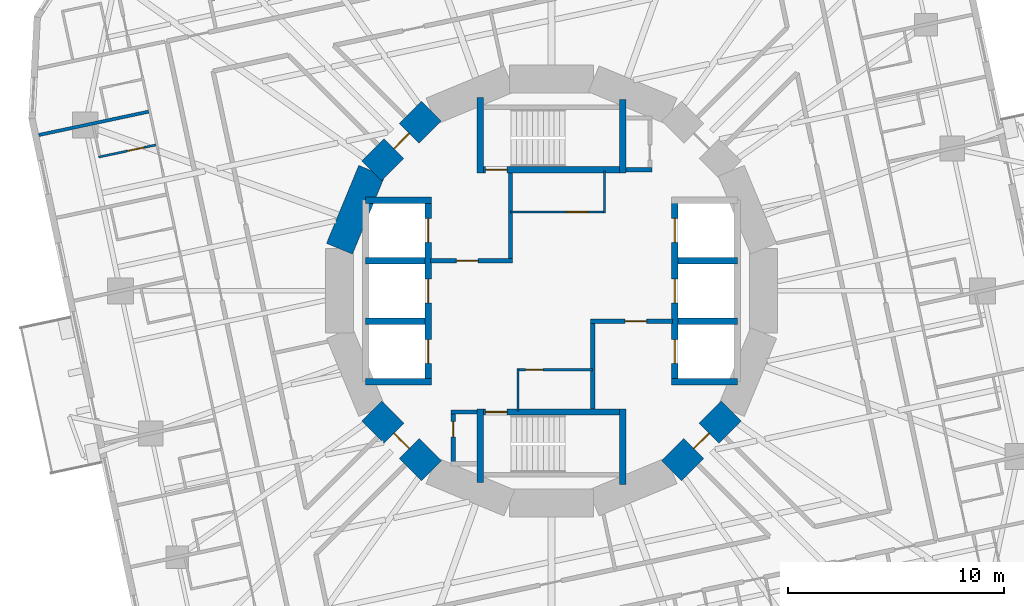
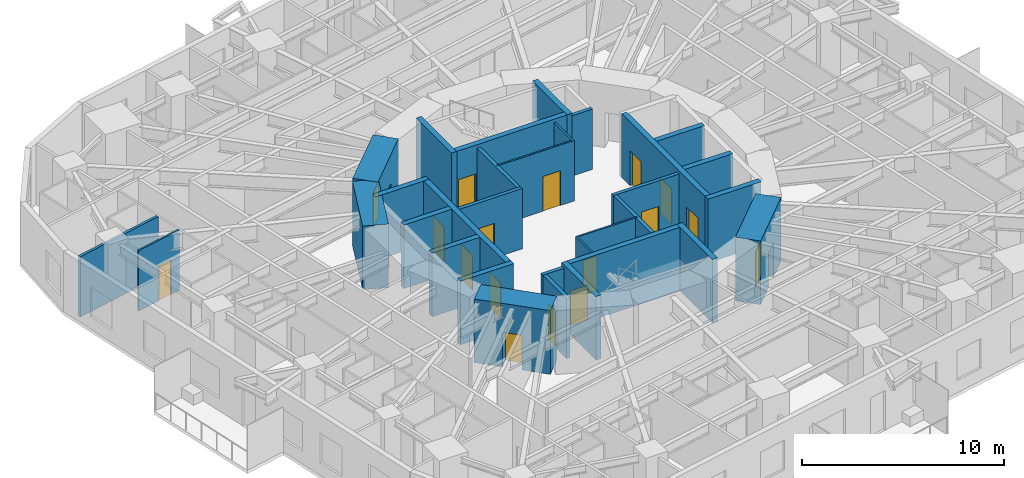
# One storey, part 7 of 14: 32 walls, 17 doors, 17 openings.
"""IFC4 building model written with IfcOpenShell, lengths in metres."""

from ifc_helpers import new_model, si_unit, direction, frame, frame_2d, origin, place, context, subcontext, project, spatial, rectangle, extrude, material, layer, layer_set, type_object, element, fill, save


model = new_model("IFC4")

# Units and contexts
model_context = context("Model", 3, precision=1e-05, world=origin(), true_north=direction((0.0, 1.0)))
body_context = subcontext(model_context, "Body", "Model", "MODEL_VIEW")
ifc_project = project(units=[si_unit("LENGTHUNIT", "METRE"), si_unit("AREAUNIT", "SQUARE_METRE"), si_unit("VOLUMEUNIT", "CUBIC_METRE"), si_unit("PLANEANGLEUNIT", "RADIAN"), si_unit("MASSUNIT", "GRAM", prefix="KILO")], contexts=[model_context])

# Site, building, storey
site_placement = place(None, origin())
site = spatial("IfcSite", under=ifc_project, at=site_placement, CompositionType="ELEMENT")
building_placement = place(site_placement, origin())
building = spatial("IfcBuilding", under=site, at=building_placement, Name="Nakasero Lantern House", CompositionType="ELEMENT")
storey_placement = place(building_placement, frame((0.0, 0.0, 112.699951171875)))
storey = spatial("IfcBuildingStorey", under=building, at=storey_placement, Name="L27", CompositionType="ELEMENT", Elevation=112.699951171875)

# Wall, openings, doors
ifc_material_1 = material(Name="Concrete C50/60", Category="concrete")
ifc_layer_1 = layer(ifc_material_1, 0.300048828125)
ifc_layer_set_1 = layer_set([ifc_layer_1], Name="Core inner wall 300")
wall_type_1 = type_object("IfcWallType", Name="Core inner wall 300", PredefinedType="SHEAR", material=ifc_layer_set_1)
wall_1_placement = place(storey_placement, frame((-5.699951171875, -4.199951171875, 0.0), z_axis=(0.0, 0.0, 1.0), x_axis=(0.0, 1.0, 0.0)))
wall_1 = element("IfcWall", 1, at=wall_1_placement, inside=storey, type_object=wall_type_1, Name="Core inner wall L27 LW", PredefinedType="SHEAR", context=body_context, shape_type="SweptSolid", body=[
    extrude(rectangle(XDim=8.39990234375, YDim=0.300048828125, at=frame_2d((4.199951171875, 0.0))), origin(), (0.0, 0.0, 1.0), 3.85009765625),
])
opening_1_placement = place(wall_1_placement, frame((0.85009765625, 0.0, 0.0)))
opening_1 = element("IfcOpeningElement", 2, at=opening_1_placement, cuts=wall_1, Name="Opening LD", PredefinedType="OPENING", context=body_context, shape_type="SweptSolid", body=[
    extrude(rectangle(XDim=1.10009765625, YDim=2.10009765625, at=frame_2d((0.550048828125, 1.050048828125))), frame((0.0, 0.169921875, 0.0), z_axis=(0.0, -1.0, 0.0), x_axis=(1.0, 0.0, 0.0)), (0.0, 0.0, 1.0), 0.340087890625),
])
opening_2_placement = place(wall_1_placement, frame((3.64990234375, 0.0, 0.0)))
opening_2 = element("IfcOpeningElement", 3, at=opening_2_placement, cuts=wall_1, Name="Opening LD", PredefinedType="OPENING", context=body_context, shape_type="SweptSolid", body=[
    extrude(rectangle(XDim=1.10009765625, YDim=2.10009765625, at=frame_2d((0.550048828125, 1.050048828125))), frame((0.0, 0.169921875, 0.0), z_axis=(0.0, -1.0, 0.0), x_axis=(1.0, 0.0, 0.0)), (0.0, 0.0, 1.0), 0.340087890625),
])
opening_3_placement = place(wall_1_placement, frame((6.449951171875, 0.0, 0.0)))
opening_3 = element("IfcOpeningElement", 4, at=opening_3_placement, cuts=wall_1, Name="Opening LD", PredefinedType="OPENING", context=body_context, shape_type="SweptSolid", body=[
    extrude(rectangle(XDim=1.10009765625, YDim=2.10009765625, at=frame_2d((0.550048828125, 1.050048828125))), frame((0.0, 0.169921875, 0.0), z_axis=(0.0, -1.0, 0.0), x_axis=(1.0, 0.0, 0.0)), (0.0, 0.0, 1.0), 0.340087890625),
])
ifc_material_2 = material(Name="Steel S355", Category="steel")
door_type_1 = type_object("IfcDoorType", Name="Lift landing door E120 1100", OperationType="SLIDING_TO_LEFT", PredefinedType="DOOR", material=ifc_material_2)
door_1_placement = place(opening_1_placement, origin())
door_1 = element("IfcDoor", 5, at=door_1_placement, inside=storey, type_object=door_type_1, Name="Lift landing door LW1", OperationType="SLIDING_TO_LEFT", OverallHeight=2.10009765625, OverallWidth=1.10009765625, PredefinedType="DOOR", context=body_context, shape_type="SweptSolid", body=[
    extrude(rectangle(XDim=1.10009765625, YDim=2.10009765625, at=frame_2d((0.550048828125, 1.050048828125))), frame((0.0, 0.02490234375, 0.0), z_axis=(0.0, -1.0, 0.0), x_axis=(1.0, 0.0, 0.0)), (0.0, 0.0, 1.0), 0.050048828125),
])
fill(opening_1, door_1)
door_2_placement = place(opening_2_placement, origin())
door_2 = element("IfcDoor", 6, at=door_2_placement, inside=storey, type_object=door_type_1, Name="Lift landing door LW2", OperationType="SLIDING_TO_LEFT", OverallHeight=2.10009765625, OverallWidth=1.10009765625, PredefinedType="DOOR", context=body_context, shape_type="SweptSolid", body=[
    extrude(rectangle(XDim=1.10009765625, YDim=2.10009765625, at=frame_2d((0.550048828125, 1.050048828125))), frame((0.0, 0.02490234375, 0.0), z_axis=(0.0, -1.0, 0.0), x_axis=(1.0, 0.0, 0.0)), (0.0, 0.0, 1.0), 0.050048828125),
])
fill(opening_2, door_2)
door_3_placement = place(opening_3_placement, origin())
door_3 = element("IfcDoor", 7, at=door_3_placement, inside=storey, type_object=door_type_1, Name="Lift landing door LW3", OperationType="SLIDING_TO_LEFT", OverallHeight=2.10009765625, OverallWidth=1.10009765625, PredefinedType="DOOR", context=body_context, shape_type="SweptSolid", body=[
    extrude(rectangle(XDim=1.10009765625, YDim=2.10009765625, at=frame_2d((0.550048828125, 1.050048828125))), frame((0.0, 0.02490234375, 0.0), z_axis=(0.0, -1.0, 0.0), x_axis=(1.0, 0.0, 0.0)), (0.0, 0.0, 1.0), 0.050048828125),
])
fill(opening_3, door_3)

wall_2_placement = place(storey_placement, frame((5.699951171875, -4.199951171875, 0.0), z_axis=(0.0, 0.0, 1.0), x_axis=(0.0, 1.0, 0.0)))
wall_2 = element("IfcWall", 8, at=wall_2_placement, inside=storey, type_object=wall_type_1, Name="Core inner wall L27 LE", PredefinedType="SHEAR", context=body_context, shape_type="SweptSolid", body=[
    extrude(rectangle(XDim=8.39990234375, YDim=0.300048828125, at=frame_2d((4.199951171875, 0.0))), origin(), (0.0, 0.0, 1.0), 3.85009765625),
])
opening_4_placement = place(wall_2_placement, frame((0.85009765625, 0.0, 0.0)))
opening_4 = element("IfcOpeningElement", 9, at=opening_4_placement, cuts=wall_2, Name="Opening LD", PredefinedType="OPENING", context=body_context, shape_type="SweptSolid", body=[
    extrude(rectangle(XDim=1.10009765625, YDim=2.10009765625, at=frame_2d((0.550048828125, 1.050048828125))), frame((0.0, 0.169921875, 0.0), z_axis=(0.0, -1.0, 0.0), x_axis=(1.0, 0.0, 0.0)), (0.0, 0.0, 1.0), 0.340087890625),
])
opening_5_placement = place(wall_2_placement, frame((3.64990234375, 0.0, 0.0)))
opening_5 = element("IfcOpeningElement", 10, at=opening_5_placement, cuts=wall_2, Name="Opening LD", PredefinedType="OPENING", context=body_context, shape_type="SweptSolid", body=[
    extrude(rectangle(XDim=1.10009765625, YDim=2.10009765625, at=frame_2d((0.550048828125, 1.050048828125))), frame((0.0, 0.169921875, 0.0), z_axis=(0.0, -1.0, 0.0), x_axis=(1.0, 0.0, 0.0)), (0.0, 0.0, 1.0), 0.340087890625),
])
opening_6_placement = place(wall_2_placement, frame((6.449951171875, 0.0, 0.0)))
opening_6 = element("IfcOpeningElement", 11, at=opening_6_placement, cuts=wall_2, Name="Opening LD", PredefinedType="OPENING", context=body_context, shape_type="SweptSolid", body=[
    extrude(rectangle(XDim=1.10009765625, YDim=2.10009765625, at=frame_2d((0.550048828125, 1.050048828125))), frame((0.0, 0.169921875, 0.0), z_axis=(0.0, -1.0, 0.0), x_axis=(1.0, 0.0, 0.0)), (0.0, 0.0, 1.0), 0.340087890625),
])
door_4_placement = place(opening_4_placement, origin())
door_4 = element("IfcDoor", 12, at=door_4_placement, inside=storey, type_object=door_type_1, Name="Lift landing door LE1", OperationType="SLIDING_TO_LEFT", OverallHeight=2.10009765625, OverallWidth=1.10009765625, PredefinedType="DOOR", context=body_context, shape_type="SweptSolid", body=[
    extrude(rectangle(XDim=1.10009765625, YDim=2.10009765625, at=frame_2d((0.550048828125, 1.050048828125))), frame((0.0, 0.02490234375, 0.0), z_axis=(0.0, -1.0, 0.0), x_axis=(1.0, 0.0, 0.0)), (0.0, 0.0, 1.0), 0.050048828125),
])
fill(opening_4, door_4)
door_5_placement = place(opening_5_placement, origin())
door_5 = element("IfcDoor", 13, at=door_5_placement, inside=storey, type_object=door_type_1, Name="Lift landing door LE2", OperationType="SLIDING_TO_LEFT", OverallHeight=2.10009765625, OverallWidth=1.10009765625, PredefinedType="DOOR", context=body_context, shape_type="SweptSolid", body=[
    extrude(rectangle(XDim=1.10009765625, YDim=2.10009765625, at=frame_2d((0.550048828125, 1.050048828125))), frame((0.0, 0.02490234375, 0.0), z_axis=(0.0, -1.0, 0.0), x_axis=(1.0, 0.0, 0.0)), (0.0, 0.0, 1.0), 0.050048828125),
])
fill(opening_5, door_5)
door_6_placement = place(opening_6_placement, origin())
door_6 = element("IfcDoor", 14, at=door_6_placement, inside=storey, type_object=door_type_1, Name="Lift landing door LE3", OperationType="SLIDING_TO_LEFT", OverallHeight=2.10009765625, OverallWidth=1.10009765625, PredefinedType="DOOR", context=body_context, shape_type="SweptSolid", body=[
    extrude(rectangle(XDim=1.10009765625, YDim=2.10009765625, at=frame_2d((0.550048828125, 1.050048828125))), frame((0.0, 0.02490234375, 0.0), z_axis=(0.0, -1.0, 0.0), x_axis=(1.0, 0.0, 0.0)), (0.0, 0.0, 1.0), 0.050048828125),
])
fill(opening_6, door_6)

# Walls
for number, where, z_axis, x_axis, name in (
    (15, (-8.60009765625, 4.199951171875, 0.0), (0.0, 0.0, 1.0), (1.0, 0.0, 0.0), "Core inner wall L27 LWN"),
    (16, (-8.60009765625, -4.199951171875, 0.0), (0.0, 0.0, 1.0), (1.0, 0.0, 0.0), "Core inner wall L27 LWS"),
    (17, (5.550048828125, -4.199951171875, 0.0), (0.0, 0.0, 1.0), (1.0, 0.0, 0.0), "Core inner wall L27 LES"),
):
    element("IfcWall", number, at=place(storey_placement, frame(where, z_axis=z_axis, x_axis=x_axis)), inside=storey, type_object=wall_type_1, Name=name, PredefinedType="SHEAR", context=body_context, shape_type="SweptSolid", body=[
        extrude(rectangle(XDim=3.050048828125, YDim=0.300048828125, at=frame_2d((1.52490234375, 0.0))), origin(), (0.0, 0.0, 1.0), 3.85009765625),
    ])
for number, where, z_axis, x_axis, name in (
    (18, (-8.60009765625, -1.39990234375, 0.0), (0.0, 0.0, 1.0), (1.0, 0.0, 0.0), "Core inner wall L27 LW1"),
    (19, (-8.60009765625, 1.39990234375, 0.0), (0.0, 0.0, 1.0), (1.0, 0.0, 0.0), "Core inner wall L27 LW2"),
    (20, (5.85009765625, -1.39990234375, 0.0), (0.0, 0.0, 1.0), (1.0, 0.0, 0.0), "Core inner wall L27 LE1"),
    (21, (5.85009765625, 1.39990234375, 0.0), (0.0, 0.0, 1.0), (1.0, 0.0, 0.0), "Core inner wall L27 LE2"),
):
    element("IfcWall", number, at=place(storey_placement, frame(where, z_axis=z_axis, x_axis=x_axis)), inside=storey, type_object=wall_type_1, Name=name, PredefinedType="SHEAR", context=body_context, shape_type="SweptSolid", body=[
        extrude(rectangle(XDim=2.75, YDim=0.300048828125, at=frame_2d((1.375, 0.0))), origin(), (0.0, 0.0, 1.0), 3.85009765625),
    ])

# Wall, opening, door
wall_3_placement = place(storey_placement, frame((-3.449951171875, 5.60009765625, 0.0), z_axis=(0.0, 0.0, 1.0), x_axis=(1.0, 0.0, 0.0)))
wall_3 = element("IfcWall", 22, at=wall_3_placement, inside=storey, type_object=wall_type_1, Name="Core inner wall L27 SN", PredefinedType="SHEAR", context=body_context, shape_type="SweptSolid", body=[
    extrude(rectangle(XDim=6.89990234375, YDim=0.300048828125, at=frame_2d((3.449951171875, 0.0))), origin(), (0.0, 0.0, 1.0), 3.85009765625),
])
opening_7_placement = place(wall_3_placement, frame((0.39990234375, 0.0, 0.0)))
opening_7 = element("IfcOpeningElement", 23, at=opening_7_placement, cuts=wall_3, Name="Opening D05", PredefinedType="OPENING", context=body_context, shape_type="SweptSolid", body=[
    extrude(rectangle(XDim=1.0, YDim=2.10009765625, at=frame_2d((0.5, 1.050048828125))), frame((0.0, 0.169921875, 0.0), z_axis=(0.0, -1.0, 0.0), x_axis=(1.0, 0.0, 0.0)), (0.0, 0.0, 1.0), 0.340087890625),
])
ifc_material_3 = material(Name="Timber C24", Category="wood")
door_type_2 = type_object("IfcDoorType", Name="Core door FD60S 1000", OperationType="SINGLE_SWING_LEFT", PredefinedType="DOOR", material=ifc_material_3)
door_7_placement = place(opening_7_placement, origin())
door_7 = element("IfcDoor", 24, at=door_7_placement, inside=storey, type_object=door_type_2, Name="Door L27 D-ST1", OperationType="SINGLE_SWING_LEFT", OverallHeight=2.10009765625, OverallWidth=1.0, PredefinedType="DOOR", context=body_context, shape_type="SweptSolid", body=[
    extrude(rectangle(XDim=1.0, YDim=2.10009765625, at=frame_2d((0.5, 1.050048828125))), frame((0.0, 0.02490234375, 0.0), z_axis=(0.0, -1.0, 0.0), x_axis=(1.0, 0.0, 0.0)), (0.0, 0.0, 1.0), 0.050048828125),
])
fill(opening_7, door_7)

# Walls
wall_4_placement = place(storey_placement, frame((-3.300048828125, 5.449951171875, 0.0), z_axis=(0.0, 0.0, 1.0), x_axis=(0.0, 1.0, 0.0)))
element("IfcWall", 25, at=wall_4_placement, inside=storey, type_object=wall_type_1, Name="Core inner wall L27 SNW", PredefinedType="SHEAR", context=body_context, shape_type="SweptSolid", body=[
    extrude(rectangle(XDim=3.5, YDim=0.300048828125, at=frame_2d((1.75, 0.0))), origin(), (0.0, 0.0, 1.0), 3.85009765625),
])
wall_5_placement = place(storey_placement, frame((3.300048828125, 5.449951171875, 0.0), z_axis=(0.0, 0.0, 1.0), x_axis=(0.0, 1.0, 0.0)))
element("IfcWall", 26, at=wall_5_placement, inside=storey, type_object=wall_type_1, Name="Core inner wall L27 SNE", PredefinedType="SHEAR", context=body_context, shape_type="SweptSolid", body=[
    extrude(rectangle(XDim=3.400146484375, YDim=0.300048828125, at=frame_2d((1.7001953125, 0.0))), origin(), (0.0, 0.0, 1.0), 3.85009765625),
])

# Wall, opening, door
wall_6_placement = place(storey_placement, frame((-3.449951171875, -5.60009765625, 0.0), z_axis=(0.0, 0.0, 1.0), x_axis=(1.0, 0.0, 0.0)))
wall_6 = element("IfcWall", 27, at=wall_6_placement, inside=storey, type_object=wall_type_1, Name="Core inner wall L27 SS", PredefinedType="SHEAR", context=body_context, shape_type="SweptSolid", body=[
    extrude(rectangle(XDim=6.89990234375, YDim=0.300048828125, at=frame_2d((3.449951171875, 0.0))), origin(), (0.0, 0.0, 1.0), 3.85009765625),
])
opening_8_placement = place(wall_6_placement, frame((0.39990234375, 0.0, 0.0)))
opening_8 = element("IfcOpeningElement", 28, at=opening_8_placement, cuts=wall_6, Name="Opening D05", PredefinedType="OPENING", context=body_context, shape_type="SweptSolid", body=[
    extrude(rectangle(XDim=1.0, YDim=2.10009765625, at=frame_2d((0.5, 1.050048828125))), frame((0.0, 0.169921875, 0.0), z_axis=(0.0, -1.0, 0.0), x_axis=(1.0, 0.0, 0.0)), (0.0, 0.0, 1.0), 0.340087890625),
])
door_8_placement = place(opening_8_placement, origin())
door_8 = element("IfcDoor", 29, at=door_8_placement, inside=storey, type_object=door_type_2, Name="Door L27 D-ST2", OperationType="SINGLE_SWING_LEFT", OverallHeight=2.10009765625, OverallWidth=1.0, PredefinedType="DOOR", context=body_context, shape_type="SweptSolid", body=[
    extrude(rectangle(XDim=1.0, YDim=2.10009765625, at=frame_2d((0.5, 1.050048828125))), frame((0.0, 0.02490234375, 0.0), z_axis=(0.0, -1.0, 0.0), x_axis=(1.0, 0.0, 0.0)), (0.0, 0.0, 1.0), 0.050048828125),
])
fill(opening_8, door_8)

# Walls
wall_7_placement = place(storey_placement, frame((-3.300048828125, -5.449951171875, 0.0), z_axis=(0.0, 0.0, 1.0), x_axis=(0.0, -1.0, 0.0)))
element("IfcWall", 30, at=wall_7_placement, inside=storey, type_object=wall_type_1, Name="Core inner wall L27 SSW", PredefinedType="SHEAR", context=body_context, shape_type="SweptSolid", body=[
    extrude(rectangle(XDim=3.400146484375, YDim=0.300048828125, at=frame_2d((1.7001953125, 0.0))), origin(), (0.0, 0.0, 1.0), 3.85009765625),
])
wall_8_placement = place(storey_placement, frame((3.300048828125, -5.449951171875, 0.0), z_axis=(0.0, 0.0, 1.0), x_axis=(0.0, -1.0, 0.0)))
element("IfcWall", 31, at=wall_8_placement, inside=storey, type_object=wall_type_1, Name="Core inner wall L27 SSE", PredefinedType="SHEAR", context=body_context, shape_type="SweptSolid", body=[
    extrude(rectangle(XDim=3.5, YDim=0.300048828125, at=frame_2d((1.75, 0.0))), origin(), (0.0, 0.0, 1.0), 3.85009765625),
])

# Wall, opening, door
ifc_material_4 = material(Name="Blockwork", Category="masonry")
ifc_layer_2 = layer(ifc_material_4, 0.10009765625)
ifc_layer_set_2 = layer_set([ifc_layer_2], Name="Core room wall 100")
wall_type_2 = type_object("IfcWallType", Name="Core room wall 100", PredefinedType="PARTITIONING", material=ifc_layer_set_2)
wall_9_placement = place(storey_placement, frame((-1.89990234375, 3.64990234375, 0.0), z_axis=(0.0, 0.0, 1.0), x_axis=(1.0, 0.0, 0.0)))
wall_9 = element("IfcWall", 32, at=wall_9_placement, inside=storey, type_object=wall_type_2, Name="Core room wall L27 CR-NES", PredefinedType="PARTITIONING", context=body_context, shape_type="SweptSolid", body=[
    extrude(rectangle(XDim=4.39990234375, YDim=0.10009765625, at=frame_2d((2.199951171875, 0.0))), origin(), (0.0, 0.0, 1.0), 3.650146484375),
])
opening_9_placement = place(wall_9_placement, frame((2.60009765625, 0.0, 0.0)))
opening_9 = element("IfcOpeningElement", 33, at=opening_9_placement, cuts=wall_9, Name="Opening D07", PredefinedType="OPENING", context=body_context, shape_type="SweptSolid", body=[
    extrude(rectangle(XDim=1.0, YDim=2.10009765625, at=frame_2d((0.5, 1.050048828125))), frame((0.0, 0.070068359375, 0.0), z_axis=(0.0, -1.0, 0.0), x_axis=(1.0, 0.0, 0.0)), (0.0, 0.0, 1.0), 0.14013671875),
])
ifc_material_5 = material(Name="Timber C24", Category="wood")
door_type_3 = type_object("IfcDoorType", Name="Room door FD30S 1000", OperationType="SINGLE_SWING_LEFT", PredefinedType="DOOR", material=ifc_material_5)
door_9_placement = place(opening_9_placement, origin())
door_9 = element("IfcDoor", 34, at=door_9_placement, inside=storey, type_object=door_type_3, Name="Door L27 D-CR-NE", OperationType="SINGLE_SWING_RIGHT", OverallHeight=2.10009765625, OverallWidth=1.0, PredefinedType="DOOR", context=body_context, shape_type="SweptSolid", body=[
    extrude(rectangle(XDim=1.0, YDim=2.10009765625, at=frame_2d((0.5, 1.050048828125))), frame((0.0, 0.02490234375, 0.0), z_axis=(0.0, -1.0, 0.0), x_axis=(1.0, 0.0, 0.0)), (0.0, 0.0, 1.0), 0.050048828125),
])
fill(opening_9, door_9)

# Wall
wall_10_placement = place(storey_placement, frame((2.449951171875, 3.60009765625, 0.0), z_axis=(0.0, 0.0, 1.0), x_axis=(0.0, 1.0, 0.0)))
element("IfcWall", 35, at=wall_10_placement, inside=storey, type_object=wall_type_2, Name="Core room wall L27 CR-NEE", PredefinedType="PARTITIONING", context=body_context, shape_type="SweptSolid", body=[
    extrude(rectangle(XDim=1.949951171875, YDim=0.10009765625, at=frame_2d((0.97509765625, 0.0))), origin(), (0.0, 0.0, 1.0), 3.650146484375),
])

# Wall, opening, door
wall_11_placement = place(storey_placement, frame((-1.60009765625, -3.64990234375, 0.0), z_axis=(0.0, 0.0, 1.0), x_axis=(1.0, 0.0, 0.0)))
wall_11 = element("IfcWall", 36, at=wall_11_placement, inside=storey, type_object=wall_type_2, Name="Core room wall L27 CR-SWN", PredefinedType="PARTITIONING", context=body_context, shape_type="SweptSolid", body=[
    extrude(rectangle(XDim=3.5, YDim=0.10009765625, at=frame_2d((1.75, 0.0))), origin(), (0.0, 0.0, 1.0), 3.650146484375),
])
opening_10_placement = place(wall_11_placement, frame((0.39990234375, 0.0, 0.0)))
opening_10 = element("IfcOpeningElement", 37, at=opening_10_placement, cuts=wall_11, Name="Opening D15", PredefinedType="OPENING", context=body_context, shape_type="SweptSolid", body=[
    extrude(rectangle(XDim=0.800048828125, YDim=2.10009765625, at=frame_2d((0.39990234375, 1.050048828125))), frame((0.0, 0.070068359375, 0.0), z_axis=(0.0, -1.0, 0.0), x_axis=(1.0, 0.0, 0.0)), (0.0, 0.0, 1.0), 0.14013671875),
])
ifc_material_6 = material(Name="Timber C24", Category="wood")
door_type_4 = type_object("IfcDoorType", Name="Cleaner's store door FD30S 800", OperationType="SINGLE_SWING_LEFT", PredefinedType="DOOR", material=ifc_material_6)
door_10_placement = place(opening_10_placement, origin())
door_10 = element("IfcDoor", 38, at=door_10_placement, inside=storey, type_object=door_type_4, Name="Door L27 D-CR-SW", OperationType="SINGLE_SWING_LEFT", OverallHeight=2.10009765625, OverallWidth=0.800048828125, PredefinedType="DOOR", context=body_context, shape_type="SweptSolid", body=[
    extrude(rectangle(XDim=0.800048828125, YDim=2.10009765625, at=frame_2d((0.39990234375, 1.050048828125))), frame((0.0, 0.02490234375, 0.0), z_axis=(0.0, -1.0, 0.0), x_axis=(1.0, 0.0, 0.0)), (0.0, 0.0, 1.0), 0.050048828125),
])
fill(opening_10, door_10)

# Wall
wall_12_placement = place(storey_placement, frame((-1.550048828125, -5.550048828125, 0.0), z_axis=(0.0, 0.0, 1.0), x_axis=(0.0, 1.0, 0.0)))
element("IfcWall", 39, at=wall_12_placement, inside=storey, type_object=wall_type_2, Name="Core room wall L27 CR-SWW", PredefinedType="PARTITIONING", context=body_context, shape_type="SweptSolid", body=[
    extrude(rectangle(XDim=1.949951171875, YDim=0.10009765625, at=frame_2d((0.97509765625, 0.0))), origin(), (0.0, 0.0, 1.0), 3.650146484375),
])

# Wall, opening, door
ifc_material_7 = material(Name="Concrete C50/60", Category="concrete")
ifc_layer_3 = layer(ifc_material_7, 1.300048828125)
ifc_layer_set_3 = layer_set([ifc_layer_3], Name="Core wall 1300")
wall_type_3 = type_object("IfcWallType", Name="Core wall 1300", PredefinedType="SHEAR", material=ifc_layer_set_3)
wall_13_placement = place(storey_placement, frame((-5.5556640625, 8.314697265625, 0.0), z_axis=(0.0, 0.0, 1.0), x_axis=(-0.707106781187, -0.707106781187, 0.0)))
wall_13 = element("IfcWall", 40, at=wall_13_placement, inside=storey, type_object=wall_type_3, Name="Core wall L27 facet 6", PredefinedType="SHEAR", context=body_context, shape_type="SweptSolid", body=[
    extrude(rectangle(XDim=3.90185546875, YDim=1.300048828125, at=frame_2d((1.950927734375, 0.0))), origin(), (0.0, 0.0, 1.0), 3.85009765625),
])
opening_11_placement = place(wall_13_placement, frame((1.450927734375, 0.0, 0.0)))
opening_11 = element("IfcOpeningElement", 41, at=opening_11_placement, cuts=wall_13, Name="Opening D05", PredefinedType="OPENING", context=body_context, shape_type="SweptSolid", body=[
    extrude(rectangle(XDim=1.0, YDim=2.10009765625, at=frame_2d((0.5, 1.050048828125))), frame((0.0, 0.669921875, 0.0), z_axis=(0.0, -1.0, 0.0), x_axis=(1.0, 0.0, 0.0)), (0.0, 0.0, 1.0), 1.340087890625),
])
door_11_placement = place(opening_11_placement, origin())
door_11 = element("IfcDoor", 42, at=door_11_placement, inside=storey, type_object=door_type_2, Name="Door L27 D-CORE06", OperationType="SINGLE_SWING_LEFT", OverallHeight=2.10009765625, OverallWidth=1.0, PredefinedType="DOOR", context=body_context, shape_type="SweptSolid", body=[
    extrude(rectangle(XDim=1.0, YDim=2.10009765625, at=frame_2d((0.5, 1.050048828125))), frame((0.0, 0.02490234375, 0.0), z_axis=(0.0, -1.0, 0.0), x_axis=(1.0, 0.0, 0.0)), (0.0, 0.0, 1.0), 0.050048828125),
])
fill(opening_11, door_11)

# Wall
wall_14_placement = place(storey_placement, frame((-8.314697265625, 5.5556640625, 0.0), z_axis=(0.0, 0.0, 1.0), x_axis=(-0.382690736062, -0.923876507187, 0.0)))
element("IfcWall", 43, at=wall_14_placement, inside=storey, type_object=wall_type_3, Name="Core wall L27 facet 7", PredefinedType="SHEAR", context=body_context, shape_type="SweptSolid", body=[
    extrude(rectangle(XDim=3.90185546875, YDim=1.300048828125, at=frame_2d((1.950927734375, 0.0))), origin(), (0.0, 0.0, 1.0), 3.85009765625),
])

# Wall, opening, door
wall_15_placement = place(storey_placement, frame((-8.314697265625, -5.5556640625, 0.0), z_axis=(0.0, 0.0, 1.0), x_axis=(0.707106781187, -0.707106781187, 0.0)))
wall_15 = element("IfcWall", 44, at=wall_15_placement, inside=storey, type_object=wall_type_3, Name="Core wall L27 facet 10", PredefinedType="SHEAR", context=body_context, shape_type="SweptSolid", body=[
    extrude(rectangle(XDim=3.90185546875, YDim=1.300048828125, at=frame_2d((1.950927734375, 0.0))), origin(), (0.0, 0.0, 1.0), 3.85009765625),
])
opening_12_placement = place(wall_15_placement, frame((1.450927734375, 0.0, 0.0)))
opening_12 = element("IfcOpeningElement", 45, at=opening_12_placement, cuts=wall_15, Name="Opening D05", PredefinedType="OPENING", context=body_context, shape_type="SweptSolid", body=[
    extrude(rectangle(XDim=1.0, YDim=2.10009765625, at=frame_2d((0.5, 1.050048828125))), frame((0.0, 0.669921875, 0.0), z_axis=(0.0, -1.0, 0.0), x_axis=(1.0, 0.0, 0.0)), (0.0, 0.0, 1.0), 1.340087890625),
])
door_12_placement = place(opening_12_placement, origin())
door_12 = element("IfcDoor", 46, at=door_12_placement, inside=storey, type_object=door_type_2, Name="Door L27 D-CORE10", OperationType="SINGLE_SWING_LEFT", OverallHeight=2.10009765625, OverallWidth=1.0, PredefinedType="DOOR", context=body_context, shape_type="SweptSolid", body=[
    extrude(rectangle(XDim=1.0, YDim=2.10009765625, at=frame_2d((0.5, 1.050048828125))), frame((0.0, 0.02490234375, 0.0), z_axis=(0.0, -1.0, 0.0), x_axis=(1.0, 0.0, 0.0)), (0.0, 0.0, 1.0), 0.050048828125),
])
fill(opening_12, door_12)

wall_16_placement = place(storey_placement, frame((5.5556640625, -8.314697265625, 0.0), z_axis=(0.0, 0.0, 1.0), x_axis=(0.707106781187, 0.707106781187, 0.0)))
wall_16 = element("IfcWall", 47, at=wall_16_placement, inside=storey, type_object=wall_type_3, Name="Core wall L27 facet 14", PredefinedType="SHEAR", context=body_context, shape_type="SweptSolid", body=[
    extrude(rectangle(XDim=3.90185546875, YDim=1.300048828125, at=frame_2d((1.950927734375, 0.0))), origin(), (0.0, 0.0, 1.0), 3.85009765625),
])
opening_13_placement = place(wall_16_placement, frame((1.450927734375, 0.0, 0.0)))
opening_13 = element("IfcOpeningElement", 48, at=opening_13_placement, cuts=wall_16, Name="Opening D05", PredefinedType="OPENING", context=body_context, shape_type="SweptSolid", body=[
    extrude(rectangle(XDim=1.0, YDim=2.10009765625, at=frame_2d((0.5, 1.050048828125))), frame((0.0, 0.669921875, 0.0), z_axis=(0.0, -1.0, 0.0), x_axis=(1.0, 0.0, 0.0)), (0.0, 0.0, 1.0), 1.340087890625),
])
door_13_placement = place(opening_13_placement, origin())
door_13 = element("IfcDoor", 49, at=door_13_placement, inside=storey, type_object=door_type_2, Name="Door L27 D-CORE14", OperationType="SINGLE_SWING_LEFT", OverallHeight=2.10009765625, OverallWidth=1.0, PredefinedType="DOOR", context=body_context, shape_type="SweptSolid", body=[
    extrude(rectangle(XDim=1.0, YDim=2.10009765625, at=frame_2d((0.5, 1.050048828125))), frame((0.0, 0.02490234375, 0.0), z_axis=(0.0, -1.0, 0.0), x_axis=(1.0, 0.0, 0.0)), (0.0, 0.0, 1.0), 0.050048828125),
])
fill(opening_13, door_13)

ifc_material_8 = material(Name="Blockwork", Category="masonry")
ifc_layer_4 = layer(ifc_material_8, 0.10009765625)
ifc_layer_set_4 = layer_set([ifc_layer_4], Name="En-suite wall 100")
wall_type_4 = type_object("IfcWallType", Name="En-suite wall 100", PredefinedType="PARTITIONING", material=ifc_layer_set_4)
wall_17_placement = place(storey_placement, frame((-18.303466796875, 6.7509765625, 0.0), z_axis=(0.0, 0.0, 1.0), x_axis=(-0.978137244908, -0.207960405185, 0.0)))
wall_17 = element("IfcWall", 50, at=wall_17_placement, inside=storey, type_object=wall_type_4, Name="En-suite wall L27 ES2-01", PredefinedType="PARTITIONING", context=body_context, shape_type="SweptSolid", body=[
    extrude(rectangle(XDim=2.7001953125, YDim=0.10009765625, at=frame_2d((1.35009765625, 0.0))), origin(), (0.0, 0.0, 1.0), 3.650146484375),
])
opening_14_placement = place(wall_17_placement, frame((0.550048828125, 0.0, 0.0)))
opening_14 = element("IfcOpeningElement", 51, at=opening_14_placement, cuts=wall_17, Name="Opening D02", PredefinedType="OPENING", context=body_context, shape_type="SweptSolid", body=[
    extrude(rectangle(XDim=0.800048828125, YDim=2.10009765625, at=frame_2d((0.39990234375, 1.050048828125))), frame((0.0, 0.070068359375, 0.0), z_axis=(0.0, -1.0, 0.0), x_axis=(1.0, 0.0, 0.0)), (0.0, 0.0, 1.0), 0.14013671875),
])
ifc_material_9 = material(Name="Timber C24", Category="wood")
door_type_5 = type_object("IfcDoorType", Name="En-suite door 800", OperationType="SINGLE_SWING_RIGHT", PredefinedType="DOOR", material=ifc_material_9)
door_14_placement = place(opening_14_placement, origin())
door_14 = element("IfcDoor", 52, at=door_14_placement, inside=storey, type_object=door_type_5, Name="Door L27 DE2-01", OperationType="SINGLE_SWING_LEFT", OverallHeight=2.10009765625, OverallWidth=0.800048828125, PredefinedType="DOOR", context=body_context, shape_type="SweptSolid", body=[
    extrude(rectangle(XDim=0.800048828125, YDim=2.10009765625, at=frame_2d((0.39990234375, 1.050048828125))), frame((0.0, 0.02490234375, 0.0), z_axis=(0.0, -1.0, 0.0), x_axis=(1.0, 0.0, 0.0)), (0.0, 0.0, 1.0), 0.050048828125),
])
fill(opening_14, door_14)

ifc_material_10 = material(Name="Blockwork", Category="masonry")
ifc_layer_5 = layer(ifc_material_10, 0.199951171875)
ifc_layer_set_5 = layer_set([ifc_layer_5], Name="Fire lobby wall 200")
wall_type_5 = type_object("IfcWallType", Name="Fire lobby wall 200", PredefinedType="PARTITIONING", material=ifc_layer_set_5)
wall_18_placement = place(storey_placement, frame((-5.60009765625, 1.39990234375, 0.0), z_axis=(0.0, 0.0, 1.0), x_axis=(1.0, 0.0, 0.0)))
wall_18 = element("IfcWall", 53, at=wall_18_placement, inside=storey, type_object=wall_type_5, Name="Fire lobby wall L27 W-FL1S", PredefinedType="PARTITIONING", context=body_context, shape_type="SweptSolid", body=[
    extrude(rectangle(XDim=3.800048828125, YDim=0.199951171875, at=frame_2d((1.89990234375, 0.0))), origin(), (0.0, 0.0, 1.0), 3.650146484375),
])
opening_15_placement = place(wall_18_placement, frame((1.199951171875, 0.0, 0.0)))
opening_15 = element("IfcOpeningElement", 54, at=opening_15_placement, cuts=wall_18, Name="Opening D05", PredefinedType="OPENING", context=body_context, shape_type="SweptSolid", body=[
    extrude(rectangle(XDim=1.0, YDim=2.10009765625, at=frame_2d((0.5, 1.050048828125))), frame((0.0, 0.119873046875, 0.0), z_axis=(0.0, -1.0, 0.0), x_axis=(1.0, 0.0, 0.0)), (0.0, 0.0, 1.0), 0.239990234375),
])
door_15_placement = place(opening_15_placement, origin())
door_15 = element("IfcDoor", 55, at=door_15_placement, inside=storey, type_object=door_type_2, Name="Door L27 D-FL1", OperationType="SINGLE_SWING_LEFT", OverallHeight=2.10009765625, OverallWidth=1.0, PredefinedType="DOOR", context=body_context, shape_type="SweptSolid", body=[
    extrude(rectangle(XDim=1.0, YDim=2.10009765625, at=frame_2d((0.5, 1.050048828125))), frame((0.0, 0.02490234375, 0.0), z_axis=(0.0, -1.0, 0.0), x_axis=(1.0, 0.0, 0.0)), (0.0, 0.0, 1.0), 0.050048828125),
])
fill(opening_15, door_15)

# Wall
wall_19_placement = place(storey_placement, frame((-1.89990234375, 1.5, 0.0), z_axis=(0.0, 0.0, 1.0), x_axis=(0.0, 1.0, 0.0)))
element("IfcWall", 56, at=wall_19_placement, inside=storey, type_object=wall_type_5, Name="Fire lobby wall L27 W-FL1E", PredefinedType="PARTITIONING", context=body_context, shape_type="SweptSolid", body=[
    extrude(rectangle(XDim=3.949951171875, YDim=0.199951171875, at=frame_2d((1.97509765625, 0.0))), origin(), (0.0, 0.0, 1.0), 3.650146484375),
])

# Wall, opening, door
wall_20_placement = place(storey_placement, frame((5.60009765625, -1.39990234375, 0.0), z_axis=(0.0, 0.0, 1.0), x_axis=(-1.0, 0.0, 0.0)))
wall_20 = element("IfcWall", 57, at=wall_20_placement, inside=storey, type_object=wall_type_5, Name="Fire lobby wall L27 W-FL2N", PredefinedType="PARTITIONING", context=body_context, shape_type="SweptSolid", body=[
    extrude(rectangle(XDim=3.800048828125, YDim=0.199951171875, at=frame_2d((1.89990234375, 0.0))), origin(), (0.0, 0.0, 1.0), 3.650146484375),
])
opening_16_placement = place(wall_20_placement, frame((1.199951171875, 0.0, 0.0)))
opening_16 = element("IfcOpeningElement", 58, at=opening_16_placement, cuts=wall_20, Name="Opening D05", PredefinedType="OPENING", context=body_context, shape_type="SweptSolid", body=[
    extrude(rectangle(XDim=1.0, YDim=2.10009765625, at=frame_2d((0.5, 1.050048828125))), frame((0.0, 0.119873046875, 0.0), z_axis=(0.0, -1.0, 0.0), x_axis=(1.0, 0.0, 0.0)), (0.0, 0.0, 1.0), 0.239990234375),
])
door_16_placement = place(opening_16_placement, origin())
door_16 = element("IfcDoor", 59, at=door_16_placement, inside=storey, type_object=door_type_2, Name="Door L27 D-FL2", OperationType="SINGLE_SWING_LEFT", OverallHeight=2.10009765625, OverallWidth=1.0, PredefinedType="DOOR", context=body_context, shape_type="SweptSolid", body=[
    extrude(rectangle(XDim=1.0, YDim=2.10009765625, at=frame_2d((0.5, 1.050048828125))), frame((0.0, 0.02490234375, 0.0), z_axis=(0.0, -1.0, 0.0), x_axis=(1.0, 0.0, 0.0)), (0.0, 0.0, 1.0), 0.050048828125),
])
fill(opening_16, door_16)

# Walls
wall_21_placement = place(storey_placement, frame((1.89990234375, -1.5, 0.0), z_axis=(0.0, 0.0, 1.0), x_axis=(0.0, -1.0, 0.0)))
element("IfcWall", 60, at=wall_21_placement, inside=storey, type_object=wall_type_5, Name="Fire lobby wall L27 W-FL2W", PredefinedType="PARTITIONING", context=body_context, shape_type="SweptSolid", body=[
    extrude(rectangle(XDim=3.949951171875, YDim=0.199951171875, at=frame_2d((1.97509765625, 0.0))), origin(), (0.0, 0.0, 1.0), 3.650146484375),
])
wall_22_placement = place(storey_placement, frame((3.449951171875, 5.60009765625, 0.0), z_axis=(0.0, 0.0, 1.0), x_axis=(1.0, 0.0, 0.0)))
element("IfcWall", 61, at=wall_22_placement, inside=storey, type_object=wall_type_5, Name="Fire lobby wall L27 W-RS1S", PredefinedType="PARTITIONING", context=body_context, shape_type="SweptSolid", body=[
    extrude(rectangle(XDim=1.199951171875, YDim=0.199951171875, at=frame_2d((0.60009765625, 0.0))), origin(), (0.0, 0.0, 1.0), 3.650146484375),
])

# Wall, opening, door
wall_23_placement = place(storey_placement, frame((-4.550048828125, -5.60009765625, 0.0), z_axis=(0.0, 0.0, 1.0), x_axis=(0.0, -1.0, 0.0)))
wall_23 = element("IfcWall", 62, at=wall_23_placement, inside=storey, type_object=wall_type_5, Name="Fire lobby wall L27 W-RS2W", PredefinedType="PARTITIONING", context=body_context, shape_type="SweptSolid", body=[
    extrude(rectangle(XDim=2.39990234375, YDim=0.199951171875, at=frame_2d((1.199951171875, 0.0))), origin(), (0.0, 0.0, 1.0), 3.650146484375),
])
opening_17_placement = place(wall_23_placement, frame((0.449951171875, 0.0, 0.0)))
opening_17 = element("IfcOpeningElement", 63, at=opening_17_placement, cuts=wall_23, Name="Opening D06", PredefinedType="OPENING", context=body_context, shape_type="SweptSolid", body=[
    extrude(rectangle(XDim=0.699951171875, YDim=2.10009765625, at=frame_2d((0.35009765625, 1.050048828125))), frame((0.0, 0.119873046875, 0.0), z_axis=(0.0, -1.0, 0.0), x_axis=(1.0, 0.0, 0.0)), (0.0, 0.0, 1.0), 0.239990234375),
])
ifc_material_11 = material(Name="Steel S355", Category="steel")
door_type_6 = type_object("IfcDoorType", Name="Riser door FD60 700", OperationType="SINGLE_SWING_LEFT", PredefinedType="DOOR", material=ifc_material_11)
door_17_placement = place(opening_17_placement, origin())
door_17 = element("IfcDoor", 64, at=door_17_placement, inside=storey, type_object=door_type_6, Name="Door L27 D-RS2", OperationType="SINGLE_SWING_LEFT", OverallHeight=2.10009765625, OverallWidth=0.699951171875, PredefinedType="DOOR", context=body_context, shape_type="SweptSolid", body=[
    extrude(rectangle(XDim=0.699951171875, YDim=2.10009765625, at=frame_2d((0.35009765625, 1.050048828125))), frame((0.0, 0.02490234375, 0.0), z_axis=(0.0, -1.0, 0.0), x_axis=(1.0, 0.0, 0.0)), (0.0, 0.0, 1.0), 0.050048828125),
])
fill(opening_17, door_17)

# Walls
wall_24_placement = place(storey_placement, frame((-3.449951171875, -5.60009765625, 0.0), z_axis=(0.0, 0.0, 1.0), x_axis=(-1.0, 0.0, 0.0)))
element("IfcWall", 65, at=wall_24_placement, inside=storey, type_object=wall_type_5, Name="Fire lobby wall L27 W-RS2N", PredefinedType="PARTITIONING", context=body_context, shape_type="SweptSolid", body=[
    extrude(rectangle(XDim=1.199951171875, YDim=0.199951171875, at=frame_2d((0.60009765625, 0.0))), origin(), (0.0, 0.0, 1.0), 3.650146484375),
])
ifc_material_12 = material(Name="Blockwork", Category="masonry")
ifc_layer_6 = layer(ifc_material_12, 0.14990234375)
ifc_layer_set_6 = layer_set([ifc_layer_6], Name="Party wall 150")
wall_type_6 = type_object("IfcWallType", Name="Party wall 150", PredefinedType="PARTITIONING", material=ifc_layer_set_6)
wall_25_placement = place(storey_placement, frame((-18.631103515625, 8.29150390625, 0.0), z_axis=(0.0, 0.0, 1.0), x_axis=(-0.978139873931, -0.207948039247, 0.0)))
element("IfcWall", 66, at=wall_25_placement, inside=storey, type_object=wall_type_6, Name="Party wall L27 PW2-01", PredefinedType="PARTITIONING", context=body_context, shape_type="SweptSolid", body=[
    extrude(rectangle(XDim=5.199951171875, YDim=0.14990234375, at=frame_2d((2.60009765625, 0.0))), origin(), (0.0, 0.0, 1.0), 3.650146484375),
])

save(model, "model.ifc")
